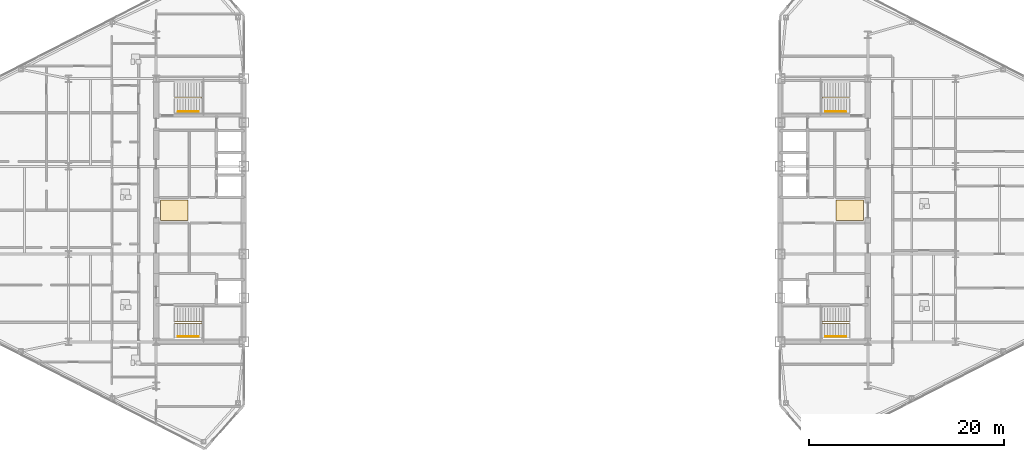
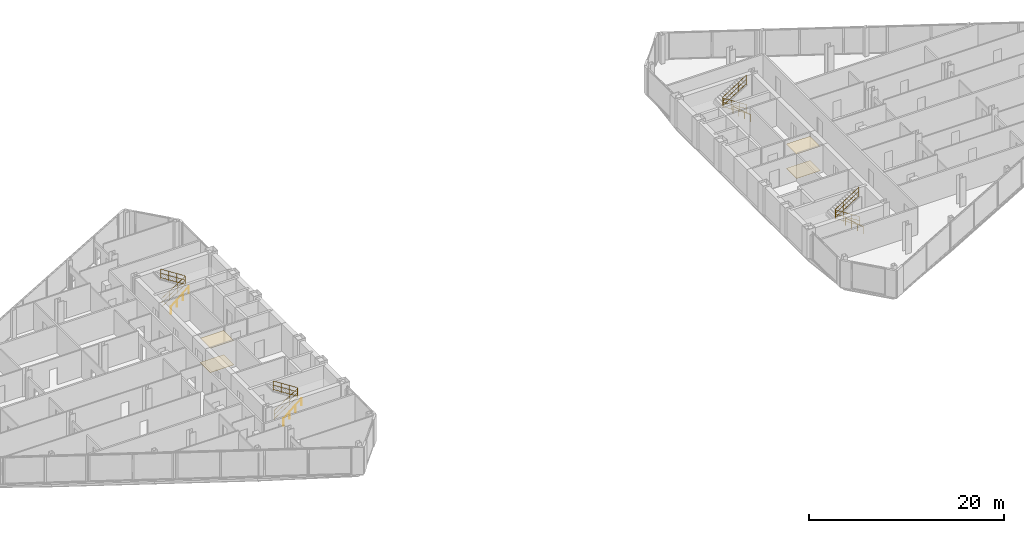
# One storey, part 22 of 23: 8 railings, 4 coverings.
"""IFC4 building model written with IfcOpenShell, lengths in metres."""

import ifcopenshell
import ifcopenshell.guid

model = None  # the IFC model being written
_history = None  # IfcOwnerHistory: only IFC2X3 demands one
_inside = {}  # id of a spatial element -> (the spatial element, [elements in it])
_under = {}  # id of a project, library or spatial element -> (it, [spatial elements below it])
_declared = {}  # id of a project -> (the project, [libraries it declares])
_typed = {}  # id of a type object -> (the type object, [elements of that type])
_made_of = {}  # id of a material, layer set ... -> (it, [elements and type objects made of it])


def new_model(schema):
    """Start an empty IFC model of exactly this schema.

    Asked for "IFC4X3", IfcOpenShell would pick the latest addendum, in which some entities
    have other attributes; the version numbers below select the first issue.
    IFC2X3 requires an IfcOwnerHistory on every rooted entity: one is made here for all.
    """
    global model, _history
    if schema == "IFC4X3":
        model = ifcopenshell.file(schema_version=(4, 3, 0, 0))
    else:
        model = ifcopenshell.file(schema=schema)
    _inside.clear()
    _under.clear()
    _declared.clear()
    _typed.clear()
    _made_of.clear()
    _history = None
    if model.schema == "IFC2X3":
        org = make("IfcOrganization", Name="unknown")
        user = make(
            "IfcPersonAndOrganization",
            ThePerson=make("IfcPerson", FamilyName="unknown"),
            TheOrganization=org,
        )
        app = make(
            "IfcApplication",
            ApplicationDeveloper=org,
            Version="unknown",
            ApplicationFullName="unknown",
            ApplicationIdentifier="unknown",
        )
        _history = make(
            "IfcOwnerHistory",
            OwningUser=user,
            OwningApplication=app,
            ChangeAction="ADDED",
            CreationDate=0,
        )
    return model


def make(cls, **values):
    """One entity of the class cls with the attributes given. An attribute that is None is left unset."""
    return model.create_entity(
        cls, **{name: value for name, value in values.items() if value is not None}
    )


def rooted(cls, **values):
    """An entity with a GlobalId (a new one), such as an element, a storey or a relation."""
    return make(cls, GlobalId=ifcopenshell.guid.new(), OwnerHistory=_history, **values)


def si_unit(unit_type, name, prefix=None):
    """IfcSIUnit, for example si_unit("LENGTHUNIT", "METRE", prefix="MILLI")."""
    return make("IfcSIUnit", UnitType=unit_type, Prefix=prefix, Name=name)


def assignment(units):
    """IfcUnitAssignment: the units of a project."""
    return None if units is None else make("IfcUnitAssignment", Units=units)


def point(xyz):
    """IfcCartesianPoint."""
    return None if xyz is None else make("IfcCartesianPoint", Coordinates=xyz)


def direction(xyz):
    """IfcDirection."""
    return None if xyz is None else make("IfcDirection", DirectionRatios=xyz)


def frame(location, z_axis=None, x_axis=None):
    """IfcAxis2Placement3D, a coordinate frame: its origin and axes. An axis left out is left unset."""
    return make(
        "IfcAxis2Placement3D",
        Location=point(location),
        Axis=direction(z_axis),
        RefDirection=direction(x_axis),
    )


def frame_2d(location, x_axis=None):
    """IfcAxis2Placement2D, a coordinate frame in the plane: its origin and x axis."""
    return make(
        "IfcAxis2Placement2D", Location=point(location), RefDirection=direction(x_axis)
    )


def origin():
    """The frame at (0, 0, 0) with its axes left unset."""
    return frame((0.0, 0.0, 0.0))


def origin_2d():
    """The frame at (0, 0) in the plane with its x axis left unset."""
    return frame_2d((0.0, 0.0))


def place(relative_to, where):
    """IfcLocalPlacement: puts the frame where relative to a parent placement (None: the world)."""
    return make(
        "IfcLocalPlacement", PlacementRelTo=relative_to, RelativePlacement=where
    )


def context(
    kind, dimensions, precision=None, world=None, true_north=None, identifier=None
):
    """IfcGeometricRepresentationContext, for example the 3D "Model" context."""
    return make(
        "IfcGeometricRepresentationContext",
        ContextIdentifier=identifier,
        ContextType=kind,
        CoordinateSpaceDimension=dimensions,
        Precision=precision,
        WorldCoordinateSystem=world,
        TrueNorth=true_north,
    )


def subcontext(parent, identifier, kind, view, scale=None):
    """IfcGeometricRepresentationSubContext, for example "Body" below "Model"."""
    return make(
        "IfcGeometricRepresentationSubContext",
        ContextIdentifier=identifier,
        ContextType=kind,
        ParentContext=parent,
        TargetScale=scale,
        TargetView=view,
    )


def project(units=None, contexts=None):
    """IfcProject with its units and contexts."""
    return rooted(
        "IfcProject",
        Name="project",
        RepresentationContexts=contexts,
        UnitsInContext=assignment(units),
    )


def spatial(cls, under=None, at=None, **own):
    """A site, building, storey or space (cls), placed at a placement, below another one or the project."""
    s = rooted(cls, ObjectPlacement=at, **own)
    if under is not None:
        _under.setdefault(under.id(), (under, []))[1].append(s)
    return s


def polyline(points):
    """IfcPolyline through the points."""
    return make("IfcPolyline", Points=[point(p) for p in points])


def profile(cls, at=None, kind="AREA", **sizes):
    """A parametric profile (cls). Its sizes go by their IFC names, for example OverallWidth=200.0."""
    return make(cls, ProfileType=kind, Position=at, **sizes)


def circle(**sizes):
    """IfcCircleProfileDef."""
    return profile("IfcCircleProfileDef", **sizes)


def outline(outer, holes=None, kind="AREA"):
    """IfcArbitraryClosedProfileDef: a profile drawn as a closed curve; with holes, ...WithVoids."""
    if holes is None:
        return make("IfcArbitraryClosedProfileDef", ProfileType=kind, OuterCurve=outer)
    return make(
        "IfcArbitraryProfileDefWithVoids",
        ProfileType=kind,
        OuterCurve=outer,
        InnerCurves=holes,
    )


def extrude(swept, where, along, depth):
    """IfcExtrudedAreaSolid: the profile swept, set in the frame where, extruded along a direction by depth."""
    return make(
        "IfcExtrudedAreaSolid",
        SweptArea=swept,
        Position=where,
        ExtrudedDirection=direction(along),
        Depth=depth,
    )


def shape(context_of_items, identifier, shape_type, items):
    """IfcShapeRepresentation: the items that make up one representation, for example the "Body"."""
    return make(
        "IfcShapeRepresentation",
        ContextOfItems=context_of_items,
        RepresentationIdentifier=identifier,
        RepresentationType=shape_type,
        Items=items,
    )


def material(Name=None, Category=None):
    """IfcMaterial."""
    return make("IfcMaterial", Name=Name, Category=Category)


def layer(
    of_material, thickness, ventilated=None, Name=None, Category=None, Priority=None
):
    """IfcMaterialLayer: one layer of a wall or slab, of a material (None: an air gap)."""
    return make(
        "IfcMaterialLayer",
        Material=of_material,
        LayerThickness=thickness,
        IsVentilated=ventilated,
        Name=Name,
        Category=Category,
        Priority=Priority,
    )


def layer_set(layers, Name=None):
    """IfcMaterialLayerSet."""
    return make("IfcMaterialLayerSet", MaterialLayers=layers, LayerSetName=Name)


def made_of(thing, what):
    """Note that an element or type object is made of a material, layer set ...; save() writes the relation."""
    if what is not None:
        _made_of.setdefault(what.id(), (what, []))[1].append(thing)
    return thing


def type_object(cls, material=None, **own):
    """A type object (cls), such as IfcWallType, which elements share."""
    return made_of(rooted(cls, **own), material)


def element(
    cls,
    number,
    at=None,
    inside=None,
    cuts=None,
    type_object=None,
    material=None,
    context=None,
    identifier="Body",
    shape_type=None,
    held_by="IfcProductDefinitionShape",
    body=None,
    shapes=None,
    **own,
):
    """One element of the class cls, such as IfcWall. Its Tag is "e" and its number.

    at: its placement. inside: the storey or other place that contains it. cuts: it is an
    opening in that element (IfcRelVoidsElement). A single representation is given by context,
    identifier, shape_type and body (its items); several are given by shapes. held_by: the class
    of the entity that holds the representations. save() writes the other relations.
    """
    e = rooted(cls, Tag="e%d" % number, ObjectPlacement=at, **own)
    if body is not None:
        shapes = [shape(context, identifier, shape_type, body)]
    if shapes is not None:
        e.Representation = make(held_by, Representations=shapes)
    if inside is not None:
        _inside.setdefault(inside.id(), (inside, []))[1].append(e)
    if cuts is not None:
        rooted(
            "IfcRelVoidsElement", RelatingBuildingElement=cuts, RelatedOpeningElement=e
        )
    if type_object is not None:
        _typed.setdefault(type_object.id(), (type_object, []))[1].append(e)
    return made_of(e, material)


def aggregate(whole, parts):
    """IfcRelAggregates: a whole, such as a stair, and the parts it consists of."""
    return rooted("IfcRelAggregates", RelatingObject=whole, RelatedObjects=parts)


def save(model, path):
    """Write the relations noted so far, then the file.

    IfcRelAggregates (storeys below a building ...), IfcRelContainedInSpatialStructure (elements
    in a storey), IfcRelDefinesByType, IfcRelAssociatesMaterial and IfcRelDeclares: one each for
    every whole, place, type object, material and project.
    """
    for whole, parts in _under.values():
        aggregate(whole, parts)
    for where, things in _inside.values():
        rooted(
            "IfcRelContainedInSpatialStructure",
            RelatedElements=things,
            RelatingStructure=where,
        )
    for kind, things in _typed.values():
        rooted("IfcRelDefinesByType", RelatedObjects=things, RelatingType=kind)
    for what, things in _made_of.values():
        rooted("IfcRelAssociatesMaterial", RelatedObjects=things, RelatingMaterial=what)
    for by, libraries in _declared.values():
        rooted("IfcRelDeclares", RelatingContext=by, RelatedDefinitions=libraries)
    model.write(path)


model = new_model("IFC4")

# Units and contexts
model_context = context("Model", 3, precision=1e-05, world=origin(), true_north=direction((0.0, 1.0)))
body_context = subcontext(model_context, "Body", "Model", "MODEL_VIEW")
ifc_project = project(units=[si_unit("LENGTHUNIT", "METRE"), si_unit("AREAUNIT", "SQUARE_METRE"), si_unit("VOLUMEUNIT", "CUBIC_METRE"), si_unit("PLANEANGLEUNIT", "RADIAN"), si_unit("MASSUNIT", "GRAM", prefix="KILO")], contexts=[model_context])

# Site, building, storey
site_placement = place(None, origin())
site = spatial("IfcSite", under=ifc_project, at=site_placement, CompositionType="ELEMENT")
building_placement = place(site_placement, origin())
building = spatial("IfcBuilding", under=site, at=building_placement, Name="Seokmaru Belvedere", CompositionType="ELEMENT")
storey_placement = place(building_placement, frame((0.0, 0.0, 144.0)))
storey = spatial("IfcBuildingStorey", under=building, at=storey_placement, Name="L38", CompositionType="ELEMENT", Elevation=144.0)

# Coverings
ifc_material_1 = material(Name="Engineered White Oak Timber", Category="wood")
ifc_layer_1 = layer(ifc_material_1, 0.02197265625)
ifc_layer_set_1 = layer_set([ifc_layer_1], Name="Engineered White Oak Timber")
covering_type_1 = type_object("IfcCoveringType", Name="Engineered Oak Residence Floor Finish 22", PredefinedType="FLOORING", material=ifc_layer_set_1)
covering_1_placement = place(storey_placement, origin())
element("IfcCovering", 1, at=covering_1_placement, inside=storey, type_object=covering_type_1, Name="L38 W Foyer Floor Finish", PredefinedType="FLOORING", context=body_context, shape_type="SweptSolid", body=[
    extrude(outline(polyline([(-36.050048828125, -1.050048828125), (-33.25, -1.050048828125), (-33.25, 1.050048828125), (-36.050048828125, 1.050048828125), (-36.050048828125, -1.050048828125)])), origin(), (0.0, 0.0, 1.0), 0.02197265625),
])
covering_2_placement = place(storey_placement, origin())
element("IfcCovering", 2, at=covering_2_placement, inside=storey, type_object=covering_type_1, Name="L38 E Foyer Floor Finish", PredefinedType="FLOORING", context=body_context, shape_type="SweptSolid", body=[
    extrude(outline(polyline([(33.25, -1.050048828125), (36.050048828125, -1.050048828125), (36.050048828125, 1.050048828125), (33.25, 1.050048828125), (33.25, -1.050048828125)])), origin(), (0.0, 0.0, 1.0), 0.02197265625),
])
ifc_material_2 = material(Name="Fire-Rated Gypsum Shaftwall")
ifc_layer_2 = layer(ifc_material_2, 0.02490234375)
ifc_layer_set_2 = layer_set([ifc_layer_2], Name="Fire-Rated Gypsum Shaftwall")
covering_type_2 = type_object("IfcCoveringType", Name="Perforated Acoustic Gypsum Suspended Ceiling 25", PredefinedType="CEILING", material=ifc_layer_set_2)
covering_3_placement = place(storey_placement, frame((0.0, 0.0, 3.030029296875)))
element("IfcCovering", 3, at=covering_3_placement, inside=storey, type_object=covering_type_2, Name="L38 W Lift Foyer Acoustic Ceiling", PredefinedType="CEILING", context=body_context, shape_type="SweptSolid", body=[
    extrude(outline(polyline([(-36.050048828125, -1.050048828125), (-33.25, -1.050048828125), (-33.25, 1.050048828125), (-36.050048828125, 1.050048828125), (-36.050048828125, -1.050048828125)])), origin(), (0.0, 0.0, 1.0), 0.02490234375),
])
covering_4_placement = place(storey_placement, frame((0.0, 0.0, 3.030029296875)))
element("IfcCovering", 4, at=covering_4_placement, inside=storey, type_object=covering_type_2, Name="L38 E Lift Foyer Acoustic Ceiling", PredefinedType="CEILING", context=body_context, shape_type="SweptSolid", body=[
    extrude(outline(polyline([(33.25, -1.050048828125), (36.050048828125, -1.050048828125), (36.050048828125, 1.050048828125), (33.25, 1.050048828125), (33.25, -1.050048828125)])), origin(), (0.0, 0.0, 1.0), 0.02490234375),
])

# Railings
ifc_material_3 = material(Name="Stainless Steel 316", Category="steel")
railing_type_1 = type_object("IfcRailingType", Name="Stainless Steel Wall and Flight Handrail 900", PredefinedType="HANDRAIL", material=ifc_material_3)
for number, where, name in (
    (5, (-34.25, -12.949951171875, 0.0), "L38 Stair ST-W1 Wall Handrail"),
    (6, (-34.25, 10.110107421875, 0.0), "L38 Stair ST-W2 Wall Handrail"),
):
    element("IfcRailing", number, at=place(storey_placement, frame(where)), inside=storey, type_object=railing_type_1, Name=name, PredefinedType="HANDRAIL", context=body_context, shape_type="SweptSolid", body=[
        extrude(circle(Radius=0.02392578125, at=origin_2d()), frame((0.0, 0.0, 0.8759765625), z_axis=(0.759262832861, 0.0, 0.650784104474), x_axis=(0.0, 1.0, 0.0)), (0.0, 0.0, 1.0), 2.765869140625),
        extrude(circle(Radius=0.02099609375, at=origin_2d()), origin(), (0.0, 0.0, 1.0), 0.851806640625),
        extrude(circle(Radius=0.02099609375, at=origin_2d()), frame((0.699951171875, 0.0, 0.60009765625)), (0.0, 0.0, 1.0), 0.851806640625),
        extrude(circle(Radius=0.02099609375, at=origin_2d()), frame((1.400146484375, 0.0, 1.199951171875)), (0.0, 0.0, 1.0), 0.851806640625),
        extrude(circle(Radius=0.02099609375, at=origin_2d()), frame((2.10009765625, 0.0, 1.800048828125)), (0.0, 0.0, 1.0), 0.851806640625),
    ])
for number, where, name in (
    (7, (34.25, -12.949951171875, 0.0), "L38 Stair ST-E1 Wall Handrail"),
    (8, (34.25, 10.110107421875, 0.0), "L38 Stair ST-E2 Wall Handrail"),
):
    element("IfcRailing", number, at=place(storey_placement, frame(where)), inside=storey, type_object=railing_type_1, Name=name, PredefinedType="HANDRAIL", context=body_context, shape_type="SweptSolid", body=[
        extrude(circle(Radius=0.02392578125, at=origin_2d()), frame((0.0, 0.0, 0.8759765625), z_axis=(-0.759262832861, 0.0, 0.650784104474), x_axis=(0.0, -1.0, 0.0)), (0.0, 0.0, 1.0), 2.765869140625),
        extrude(circle(Radius=0.02099609375, at=origin_2d()), origin(), (0.0, 0.0, 1.0), 0.851806640625),
        extrude(circle(Radius=0.02099609375, at=origin_2d()), frame((-0.699951171875, 0.0, 0.60009765625)), (0.0, 0.0, 1.0), 0.851806640625),
        extrude(circle(Radius=0.02099609375, at=origin_2d()), frame((-1.400146484375, 0.0, 1.199951171875)), (0.0, 0.0, 1.0), 0.851806640625),
        extrude(circle(Radius=0.02099609375, at=origin_2d()), frame((-2.10009765625, 0.0, 1.800048828125)), (0.0, 0.0, 1.0), 0.851806640625),
    ])
railing_type_2 = type_object("IfcRailingType", Name="Stair Well and Atrium Steel Guardrail 1200", PredefinedType="GUARDRAIL", material=ifc_material_3)
railing_1_placement = place(storey_placement, frame((-34.60009765625, -11.60009765625, 0.0)))
element("IfcRailing", 9, at=railing_1_placement, inside=storey, type_object=railing_type_2, Name="L38 Stair ST-W1 Inner Well Guardrail", PredefinedType="GUARDRAIL", context=body_context, shape_type="SweptSolid", body=[
    extrude(circle(Radius=0.02392578125, at=origin_2d()), frame((0.0, 0.0, 1.17578125), z_axis=(0.841176092368, 0.0, 0.540761298198), x_axis=(0.0, 1.0, 0.0)), (0.0, 0.0, 1.0), 3.32861328125),
    extrude(circle(Radius=0.02392578125, at=origin_2d()), frame((0.0, 0.0, 0.1201171875), z_axis=(0.841176092368, 0.0, 0.540761298198), x_axis=(0.0, 1.0, 0.0)), (0.0, 0.0, 1.0), 3.32861328125),
    extrude(circle(Radius=0.02392578125, at=origin_2d()), frame((0.0, 0.0, 0.659912109375), z_axis=(0.841176092368, 0.0, 0.540761298198), x_axis=(0.0, 1.0, 0.0)), (0.0, 0.0, 1.0), 3.32861328125),
    extrude(circle(Radius=0.02392578125, at=origin_2d()), frame((2.800048828125, 0.0, 2.97607421875), z_axis=(0.0, 1.0, 0.0), x_axis=(-1.0, 0.0, 0.0)), (0.0, 0.0, 1.0), 0.14013671875),
    extrude(circle(Radius=0.02392578125, at=origin_2d()), frame((2.800048828125, 0.0, 1.920166015625), z_axis=(0.0, 1.0, 0.0), x_axis=(-1.0, 0.0, 0.0)), (0.0, 0.0, 1.0), 0.14013671875),
    extrude(circle(Radius=0.02392578125, at=origin_2d()), frame((2.800048828125, 0.0, 2.4599609375), z_axis=(0.0, 1.0, 0.0), x_axis=(-1.0, 0.0, 0.0)), (0.0, 0.0, 1.0), 0.14013671875),
    extrude(circle(Radius=0.02392578125, at=origin_2d()), frame((2.800048828125, 0.14013671875, 2.97607421875), z_axis=(-0.841176092368, 0.0, 0.540761298198), x_axis=(0.0, -1.0, 0.0)), (0.0, 0.0, 1.0), 3.32861328125),
    extrude(circle(Radius=0.02392578125, at=origin_2d()), frame((2.800048828125, 0.14013671875, 1.920166015625), z_axis=(-0.841176092368, 0.0, 0.540761298198), x_axis=(0.0, -1.0, 0.0)), (0.0, 0.0, 1.0), 3.32861328125),
    extrude(circle(Radius=0.02392578125, at=origin_2d()), frame((2.800048828125, 0.14013671875, 2.4599609375), z_axis=(-0.841176092368, 0.0, 0.540761298198), x_axis=(0.0, -1.0, 0.0)), (0.0, 0.0, 1.0), 3.32861328125),
    extrude(circle(Radius=0.02099609375, at=origin_2d()), origin(), (0.0, 0.0, 1.0), 1.15185546875),
    extrude(circle(Radius=0.02099609375, at=origin_2d()), frame((0.933349609375, 0.0, 0.60009765625)), (0.0, 0.0, 1.0), 1.15185546875),
    extrude(circle(Radius=0.02099609375, at=origin_2d()), frame((1.86669921875, 0.0, 1.199951171875)), (0.0, 0.0, 1.0), 1.15185546875),
    extrude(circle(Radius=0.02099609375, at=origin_2d()), frame((2.800048828125, 0.0, 1.800048828125)), (0.0, 0.0, 1.0), 1.15185546875),
    extrude(circle(Radius=0.02099609375, at=origin_2d()), frame((2.800048828125, 0.14013671875, 1.800048828125)), (0.0, 0.0, 1.0), 1.15185546875),
    extrude(circle(Radius=0.02099609375, at=origin_2d()), frame((1.86669921875, 0.14013671875, 2.400146484375)), (0.0, 0.0, 1.0), 1.15185546875),
    extrude(circle(Radius=0.02099609375, at=origin_2d()), frame((0.933349609375, 0.14013671875, 3.0)), (0.0, 0.0, 1.0), 1.15185546875),
    extrude(circle(Radius=0.02099609375, at=origin_2d()), frame((0.0, 0.14013671875, 3.60009765625)), (0.0, 0.0, 1.0), 1.15185546875),
])
railing_2_placement = place(storey_placement, frame((-34.60009765625, 11.4599609375, 0.0)))
element("IfcRailing", 10, at=railing_2_placement, inside=storey, type_object=railing_type_2, Name="L38 Stair ST-W2 Inner Well Guardrail", PredefinedType="GUARDRAIL", context=body_context, shape_type="SweptSolid", body=[
    extrude(circle(Radius=0.02392578125, at=origin_2d()), frame((0.0, 0.0, 1.17578125), z_axis=(0.841176092368, 0.0, 0.540761298198), x_axis=(0.0, 1.0, 0.0)), (0.0, 0.0, 1.0), 3.32861328125),
    extrude(circle(Radius=0.02392578125, at=origin_2d()), frame((0.0, 0.0, 0.1201171875), z_axis=(0.841176092368, 0.0, 0.540761298198), x_axis=(0.0, 1.0, 0.0)), (0.0, 0.0, 1.0), 3.32861328125),
    extrude(circle(Radius=0.02392578125, at=origin_2d()), frame((0.0, 0.0, 0.659912109375), z_axis=(0.841176092368, 0.0, 0.540761298198), x_axis=(0.0, 1.0, 0.0)), (0.0, 0.0, 1.0), 3.32861328125),
    extrude(circle(Radius=0.02392578125, at=origin_2d()), frame((2.800048828125, 0.0, 2.97607421875), z_axis=(0.0, 1.0, 0.0), x_axis=(-1.0, 0.0, 0.0)), (0.0, 0.0, 1.0), 0.14013671875),
    extrude(circle(Radius=0.02392578125, at=origin_2d()), frame((2.800048828125, 0.0, 1.920166015625), z_axis=(0.0, 1.0, 0.0), x_axis=(-1.0, 0.0, 0.0)), (0.0, 0.0, 1.0), 0.14013671875),
    extrude(circle(Radius=0.02392578125, at=origin_2d()), frame((2.800048828125, 0.0, 2.4599609375), z_axis=(0.0, 1.0, 0.0), x_axis=(-1.0, 0.0, 0.0)), (0.0, 0.0, 1.0), 0.14013671875),
    extrude(circle(Radius=0.02392578125, at=origin_2d()), frame((2.800048828125, 0.14013671875, 2.97607421875), z_axis=(-0.841176092368, 0.0, 0.540761298198), x_axis=(0.0, -1.0, 0.0)), (0.0, 0.0, 1.0), 3.32861328125),
    extrude(circle(Radius=0.02392578125, at=origin_2d()), frame((2.800048828125, 0.14013671875, 1.920166015625), z_axis=(-0.841176092368, 0.0, 0.540761298198), x_axis=(0.0, -1.0, 0.0)), (0.0, 0.0, 1.0), 3.32861328125),
    extrude(circle(Radius=0.02392578125, at=origin_2d()), frame((2.800048828125, 0.14013671875, 2.4599609375), z_axis=(-0.841176092368, 0.0, 0.540761298198), x_axis=(0.0, -1.0, 0.0)), (0.0, 0.0, 1.0), 3.32861328125),
    extrude(circle(Radius=0.02099609375, at=origin_2d()), origin(), (0.0, 0.0, 1.0), 1.15185546875),
    extrude(circle(Radius=0.02099609375, at=origin_2d()), frame((0.933349609375, 0.0, 0.60009765625)), (0.0, 0.0, 1.0), 1.15185546875),
    extrude(circle(Radius=0.02099609375, at=origin_2d()), frame((1.86669921875, 0.0, 1.199951171875)), (0.0, 0.0, 1.0), 1.15185546875),
    extrude(circle(Radius=0.02099609375, at=origin_2d()), frame((2.800048828125, 0.0, 1.800048828125)), (0.0, 0.0, 1.0), 1.15185546875),
    extrude(circle(Radius=0.02099609375, at=origin_2d()), frame((2.800048828125, 0.14013671875, 1.800048828125)), (0.0, 0.0, 1.0), 1.15185546875),
    extrude(circle(Radius=0.02099609375, at=origin_2d()), frame((1.86669921875, 0.14013671875, 2.400146484375)), (0.0, 0.0, 1.0), 1.15185546875),
    extrude(circle(Radius=0.02099609375, at=origin_2d()), frame((0.933349609375, 0.14013671875, 3.0)), (0.0, 0.0, 1.0), 1.15185546875),
    extrude(circle(Radius=0.02099609375, at=origin_2d()), frame((0.0, 0.14013671875, 3.60009765625)), (0.0, 0.0, 1.0), 1.15185546875),
])
railing_3_placement = place(storey_placement, frame((34.60009765625, -11.60009765625, 0.0)))
element("IfcRailing", 11, at=railing_3_placement, inside=storey, type_object=railing_type_2, Name="L38 Stair ST-E1 Inner Well Guardrail", PredefinedType="GUARDRAIL", context=body_context, shape_type="SweptSolid", body=[
    extrude(circle(Radius=0.02392578125, at=origin_2d()), frame((0.0, 0.0, 1.17578125), z_axis=(-0.841176092368, 0.0, 0.540761298198), x_axis=(0.0, -1.0, 0.0)), (0.0, 0.0, 1.0), 3.32861328125),
    extrude(circle(Radius=0.02392578125, at=origin_2d()), frame((0.0, 0.0, 0.1201171875), z_axis=(-0.841176092368, 0.0, 0.540761298198), x_axis=(0.0, -1.0, 0.0)), (0.0, 0.0, 1.0), 3.32861328125),
    extrude(circle(Radius=0.02392578125, at=origin_2d()), frame((0.0, 0.0, 0.659912109375), z_axis=(-0.841176092368, 0.0, 0.540761298198), x_axis=(0.0, -1.0, 0.0)), (0.0, 0.0, 1.0), 3.32861328125),
    extrude(circle(Radius=0.02392578125, at=origin_2d()), frame((-2.800048828125, 0.0, 2.97607421875), z_axis=(0.0, 1.0, 0.0), x_axis=(-1.0, 0.0, 0.0)), (0.0, 0.0, 1.0), 0.14013671875),
    extrude(circle(Radius=0.02392578125, at=origin_2d()), frame((-2.800048828125, 0.0, 1.920166015625), z_axis=(0.0, 1.0, 0.0), x_axis=(-1.0, 0.0, 0.0)), (0.0, 0.0, 1.0), 0.14013671875),
    extrude(circle(Radius=0.02392578125, at=origin_2d()), frame((-2.800048828125, 0.0, 2.4599609375), z_axis=(0.0, 1.0, 0.0), x_axis=(-1.0, 0.0, 0.0)), (0.0, 0.0, 1.0), 0.14013671875),
    extrude(circle(Radius=0.02392578125, at=origin_2d()), frame((-2.800048828125, 0.14013671875, 2.97607421875), z_axis=(0.841176092368, 0.0, 0.540761298198), x_axis=(0.0, 1.0, 0.0)), (0.0, 0.0, 1.0), 3.32861328125),
    extrude(circle(Radius=0.02392578125, at=origin_2d()), frame((-2.800048828125, 0.14013671875, 1.920166015625), z_axis=(0.841176092368, 0.0, 0.540761298198), x_axis=(0.0, 1.0, 0.0)), (0.0, 0.0, 1.0), 3.32861328125),
    extrude(circle(Radius=0.02392578125, at=origin_2d()), frame((-2.800048828125, 0.14013671875, 2.4599609375), z_axis=(0.841176092368, 0.0, 0.540761298198), x_axis=(0.0, 1.0, 0.0)), (0.0, 0.0, 1.0), 3.32861328125),
    extrude(circle(Radius=0.02099609375, at=origin_2d()), origin(), (0.0, 0.0, 1.0), 1.15185546875),
    extrude(circle(Radius=0.02099609375, at=origin_2d()), frame((-0.933349609375, 0.0, 0.60009765625)), (0.0, 0.0, 1.0), 1.15185546875),
    extrude(circle(Radius=0.02099609375, at=origin_2d()), frame((-1.86669921875, 0.0, 1.199951171875)), (0.0, 0.0, 1.0), 1.15185546875),
    extrude(circle(Radius=0.02099609375, at=origin_2d()), frame((-2.800048828125, 0.0, 1.800048828125)), (0.0, 0.0, 1.0), 1.15185546875),
    extrude(circle(Radius=0.02099609375, at=origin_2d()), frame((-2.800048828125, 0.14013671875, 1.800048828125)), (0.0, 0.0, 1.0), 1.15185546875),
    extrude(circle(Radius=0.02099609375, at=origin_2d()), frame((-1.86669921875, 0.14013671875, 2.400146484375)), (0.0, 0.0, 1.0), 1.15185546875),
    extrude(circle(Radius=0.02099609375, at=origin_2d()), frame((-0.933349609375, 0.14013671875, 3.0)), (0.0, 0.0, 1.0), 1.15185546875),
    extrude(circle(Radius=0.02099609375, at=origin_2d()), frame((0.0, 0.14013671875, 3.60009765625)), (0.0, 0.0, 1.0), 1.15185546875),
])
railing_4_placement = place(storey_placement, frame((34.60009765625, 11.4599609375, 0.0)))
element("IfcRailing", 12, at=railing_4_placement, inside=storey, type_object=railing_type_2, Name="L38 Stair ST-E2 Inner Well Guardrail", PredefinedType="GUARDRAIL", context=body_context, shape_type="SweptSolid", body=[
    extrude(circle(Radius=0.02392578125, at=origin_2d()), frame((0.0, 0.0, 1.17578125), z_axis=(-0.841176092368, 0.0, 0.540761298198), x_axis=(0.0, -1.0, 0.0)), (0.0, 0.0, 1.0), 3.32861328125),
    extrude(circle(Radius=0.02392578125, at=origin_2d()), frame((0.0, 0.0, 0.1201171875), z_axis=(-0.841176092368, 0.0, 0.540761298198), x_axis=(0.0, -1.0, 0.0)), (0.0, 0.0, 1.0), 3.32861328125),
    extrude(circle(Radius=0.02392578125, at=origin_2d()), frame((0.0, 0.0, 0.659912109375), z_axis=(-0.841176092368, 0.0, 0.540761298198), x_axis=(0.0, -1.0, 0.0)), (0.0, 0.0, 1.0), 3.32861328125),
    extrude(circle(Radius=0.02392578125, at=origin_2d()), frame((-2.800048828125, 0.0, 2.97607421875), z_axis=(0.0, 1.0, 0.0), x_axis=(-1.0, 0.0, 0.0)), (0.0, 0.0, 1.0), 0.14013671875),
    extrude(circle(Radius=0.02392578125, at=origin_2d()), frame((-2.800048828125, 0.0, 1.920166015625), z_axis=(0.0, 1.0, 0.0), x_axis=(-1.0, 0.0, 0.0)), (0.0, 0.0, 1.0), 0.14013671875),
    extrude(circle(Radius=0.02392578125, at=origin_2d()), frame((-2.800048828125, 0.0, 2.4599609375), z_axis=(0.0, 1.0, 0.0), x_axis=(-1.0, 0.0, 0.0)), (0.0, 0.0, 1.0), 0.14013671875),
    extrude(circle(Radius=0.02392578125, at=origin_2d()), frame((-2.800048828125, 0.14013671875, 2.97607421875), z_axis=(0.841176092368, 0.0, 0.540761298198), x_axis=(0.0, 1.0, 0.0)), (0.0, 0.0, 1.0), 3.32861328125),
    extrude(circle(Radius=0.02392578125, at=origin_2d()), frame((-2.800048828125, 0.14013671875, 1.920166015625), z_axis=(0.841176092368, 0.0, 0.540761298198), x_axis=(0.0, 1.0, 0.0)), (0.0, 0.0, 1.0), 3.32861328125),
    extrude(circle(Radius=0.02392578125, at=origin_2d()), frame((-2.800048828125, 0.14013671875, 2.4599609375), z_axis=(0.841176092368, 0.0, 0.540761298198), x_axis=(0.0, 1.0, 0.0)), (0.0, 0.0, 1.0), 3.32861328125),
    extrude(circle(Radius=0.02099609375, at=origin_2d()), origin(), (0.0, 0.0, 1.0), 1.15185546875),
    extrude(circle(Radius=0.02099609375, at=origin_2d()), frame((-0.933349609375, 0.0, 0.60009765625)), (0.0, 0.0, 1.0), 1.15185546875),
    extrude(circle(Radius=0.02099609375, at=origin_2d()), frame((-1.86669921875, 0.0, 1.199951171875)), (0.0, 0.0, 1.0), 1.15185546875),
    extrude(circle(Radius=0.02099609375, at=origin_2d()), frame((-2.800048828125, 0.0, 1.800048828125)), (0.0, 0.0, 1.0), 1.15185546875),
    extrude(circle(Radius=0.02099609375, at=origin_2d()), frame((-2.800048828125, 0.14013671875, 1.800048828125)), (0.0, 0.0, 1.0), 1.15185546875),
    extrude(circle(Radius=0.02099609375, at=origin_2d()), frame((-1.86669921875, 0.14013671875, 2.400146484375)), (0.0, 0.0, 1.0), 1.15185546875),
    extrude(circle(Radius=0.02099609375, at=origin_2d()), frame((-0.933349609375, 0.14013671875, 3.0)), (0.0, 0.0, 1.0), 1.15185546875),
    extrude(circle(Radius=0.02099609375, at=origin_2d()), frame((0.0, 0.14013671875, 3.60009765625)), (0.0, 0.0, 1.0), 1.15185546875),
])

save(model, "model.ifc")
